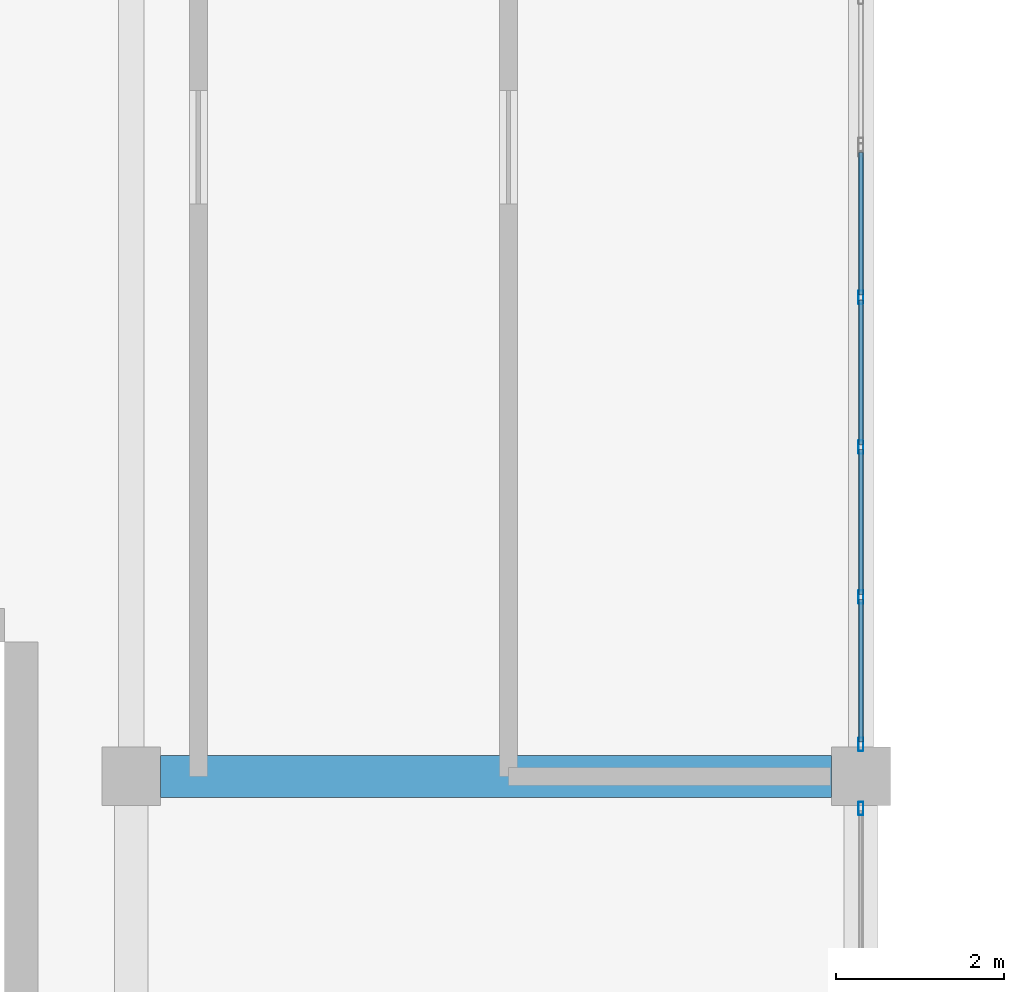
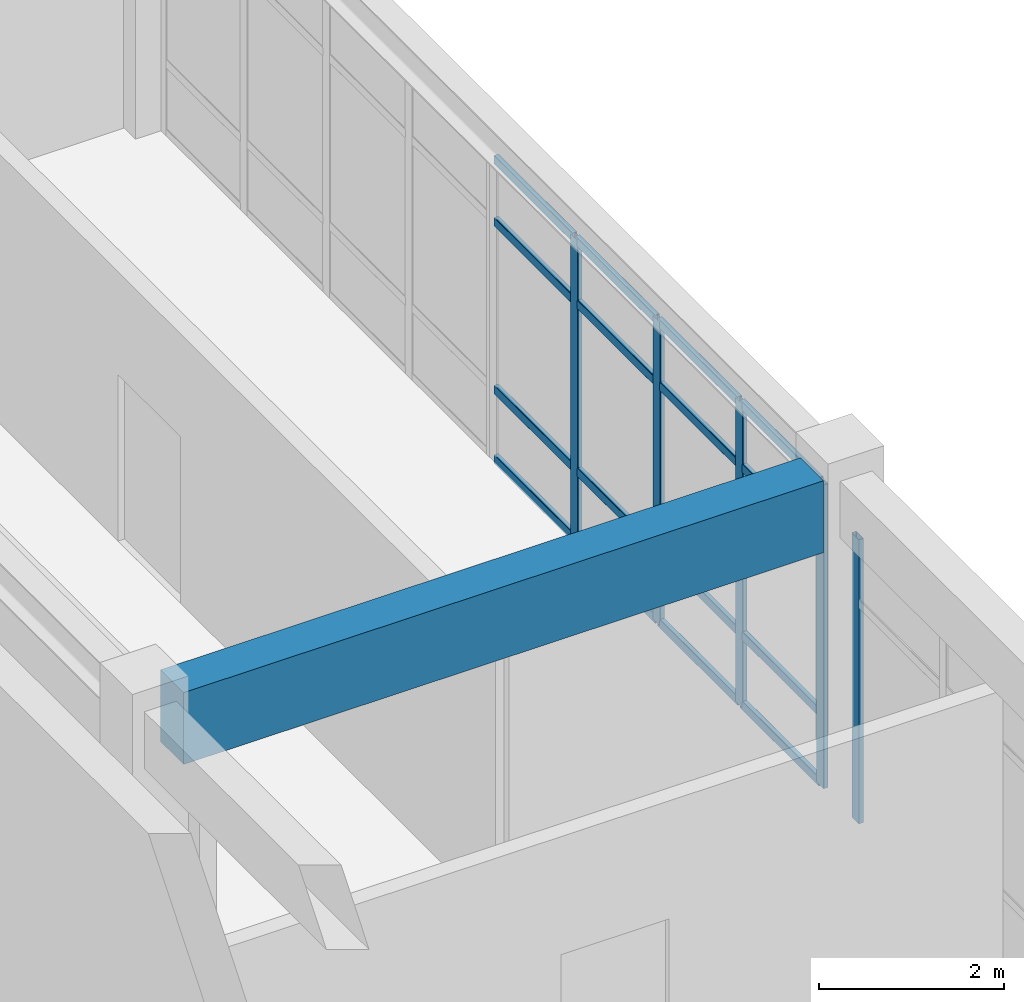
# One storey, part 36 of 64: 21 members, 1 beam, 2 elements without a shape of their own.
"""IFC4 building model written with IfcOpenShell, lengths in metres."""

from ifc_helpers import new_model, si_unit, derived_unit, direction, frame, origin, origin_2d, place, context, subcontext, project, spatial, rectangle, hollow_rectangle, extrude, material, layer, layer_set, material_profile, profile_set, type_object, element, aggregate, save


model = new_model("IFC4")

# Units and contexts
model_context = context("Model", 3, precision=1e-05, world=origin(), true_north=direction((0.0, 1.0)))
body_context = subcontext(model_context, "Body", "Model", "MODEL_VIEW")
ifc_project = project(units=[si_unit("LENGTHUNIT", "METRE"), si_unit("AREAUNIT", "SQUARE_METRE"), si_unit("VOLUMEUNIT", "CUBIC_METRE"), si_unit("PLANEANGLEUNIT", "RADIAN"), si_unit("MASSUNIT", "GRAM", prefix="KILO"), derived_unit("THERMALTRANSMITTANCEUNIT", [(si_unit("MASSUNIT", "GRAM", prefix="KILO"), 1), (si_unit("TIMEUNIT", "SECOND"), -3), (si_unit("THERMODYNAMICTEMPERATUREUNIT", "KELVIN"), -1)])], contexts=[model_context])

# Site, building, storey
site_placement = place(None, origin())
site = spatial("IfcSite", under=ifc_project, at=site_placement, CompositionType="ELEMENT")
building_placement = place(site_placement, origin())
building = spatial("IfcBuilding", under=site, at=building_placement, Name="Qinzheling Arcade Emporium", CompositionType="ELEMENT")
storey_placement = place(building_placement, frame((0.0, 0.0, 31.5)))
storey = spatial("IfcBuildingStorey", under=building, at=storey_placement, Name="L07", CompositionType="ELEMENT", Elevation=31.5)

# Curtain wall, members
ifc_material_1 = material(Name="Anodised aluminium and solar-control double glazing", Category="aluminium")
ifc_layer = layer(ifc_material_1, 0.159912109375, Name="Anodised aluminium and solar-control double glazing", Category="aluminium")
ifc_layer_set = layer_set([ifc_layer], Name="Anodised aluminium and solar-control double glazing")
curtain_wall_type = type_object("IfcCurtainWallType", Name="Atrium Clerestory Curtain Wall", PredefinedType="NOTDEFINED", material=ifc_layer_set)
curtain_wall_1_placement = place(storey_placement, origin())
curtain_wall_1 = element("IfcCurtainWall", 1, at=curtain_wall_1_placement, inside=storey, type_object=curtain_wall_type, Name="Curtain Wall CW-L07-426", PredefinedType="NOTDEFINED")
ifc_material_2 = material(Name="Anodised aluminium 6063-T6", Category="aluminium")
ifc_material_profile_1 = material_profile(ifc_material_2, hollow_rectangle(XDim=0.06005859375, YDim=0.159912109375, WallThickness=0.00390625, InnerFilletRadius=0.00390625, OuterFilletRadius=0.008056640625, at=origin_2d()), Name="RHS 160x60x4", Category="aluminium")
ifc_profile_set_1 = profile_set([ifc_material_profile_1], Name="Anodised aluminium 6063-T6")
member_type_1 = type_object("IfcMemberType", Name="Curtain Wall Mullion RHS160x60", PredefinedType="MULLION", material=ifc_profile_set_1)
member_1_placement = place(storey_placement, frame((104.39990234375, 56.111572265625, 0.0), z_axis=(0.0, 0.0, 1.0), x_axis=(1.0, 0.0, 0.0)))
member_1 = element("IfcMember", 2, at=member_1_placement, type_object=member_type_1, Name="CW03 mullion 2", PredefinedType="MULLION", context=body_context, shape_type="SweptSolid", body=[
    extrude(hollow_rectangle(XDim=0.06005859375, YDim=0.159912109375, WallThickness=0.00390625, InnerFilletRadius=0.00390625, OuterFilletRadius=0.008056640625, at=origin_2d()), origin(), (0.0, 0.0, 1.0), 4.01708984375),
])
member_2_placement = place(storey_placement, frame((104.39990234375, 54.324951171875, 0.0), z_axis=(0.0, 0.0, 1.0), x_axis=(1.0, 0.0, 0.0)))
member_2 = element("IfcMember", 3, at=member_2_placement, type_object=member_type_1, Name="CW03 mullion 3", PredefinedType="MULLION", context=body_context, shape_type="SweptSolid", body=[
    extrude(hollow_rectangle(XDim=0.06005859375, YDim=0.159912109375, WallThickness=0.00390625, InnerFilletRadius=0.00390625, OuterFilletRadius=0.008056640625, at=origin_2d()), origin(), (0.0, 0.0, 1.0), 4.01708984375),
])
member_3_placement = place(storey_placement, frame((104.39990234375, 52.53857421875, 0.0), z_axis=(0.0, 0.0, 1.0), x_axis=(1.0, 0.0, 0.0)))
member_3 = element("IfcMember", 4, at=member_3_placement, type_object=member_type_1, Name="CW03 mullion 4", PredefinedType="MULLION", context=body_context, shape_type="SweptSolid", body=[
    extrude(hollow_rectangle(XDim=0.06005859375, YDim=0.159912109375, WallThickness=0.00390625, InnerFilletRadius=0.00390625, OuterFilletRadius=0.008056640625, at=origin_2d()), origin(), (0.0, 0.0, 1.0), 4.01708984375),
])
member_4_placement = place(storey_placement, frame((104.39990234375, 50.781982421875, 0.0), z_axis=(0.0, 0.0, 1.0), x_axis=(1.0, 0.0, 0.0)))
member_4 = element("IfcMember", 5, at=member_4_placement, type_object=member_type_1, Name="CW03 mullion 5", PredefinedType="MULLION", context=body_context, shape_type="SweptSolid", body=[
    extrude(hollow_rectangle(XDim=0.06005859375, YDim=0.159912109375, WallThickness=0.00390625, InnerFilletRadius=0.00390625, OuterFilletRadius=0.008056640625, at=origin_2d()), origin(), (0.0, 0.0, 1.0), 4.01708984375),
])

# Curtain wall, member
curtain_wall_2_placement = place(storey_placement, origin())
curtain_wall_2 = element("IfcCurtainWall", 6, at=curtain_wall_2_placement, inside=storey, type_object=curtain_wall_type, Name="Curtain Wall CW-L07-427", PredefinedType="NOTDEFINED")
member_5_placement = place(storey_placement, frame((104.39990234375, 50.01806640625, 0.0), z_axis=(0.0, 0.0, 1.0), x_axis=(1.0, 0.0, 0.0)))
member_5 = element("IfcMember", 7, at=member_5_placement, type_object=member_type_1, Name="CW03 mullion 1", PredefinedType="MULLION", context=body_context, shape_type="SweptSolid", body=[
    extrude(hollow_rectangle(XDim=0.06005859375, YDim=0.159912109375, WallThickness=0.00390625, InnerFilletRadius=0.00390625, OuterFilletRadius=0.008056640625, at=origin_2d()), origin(), (0.0, 0.0, 1.0), 3.7548828125),
])
aggregate(curtain_wall_2, [member_5])

# Member
ifc_material_profile_2 = material_profile(ifc_material_2, hollow_rectangle(XDim=0.06005859375, YDim=0.1201171875, WallThickness=0.00390625, InnerFilletRadius=0.00390625, OuterFilletRadius=0.008056640625, at=origin_2d()), Name="RHS 120x60x4", Category="aluminium")
ifc_profile_set_2 = profile_set([ifc_material_profile_2], Name="Anodised aluminium 6063-T6")
member_type_2 = type_object("IfcMemberType", Name="Curtain Wall Transom RHS120x60", PredefinedType="USERDEFINED", material=ifc_profile_set_2)
member_6_placement = place(storey_placement, frame((104.39990234375, 57.837890625, 0.030029296875), z_axis=(0.0, -1.0, 0.0), x_axis=(1.0, 0.0, 0.0)))
member_6 = element("IfcMember", 8, at=member_6_placement, type_object=member_type_2, Name="CW03 transom 1.1", ObjectType="TRANSOM", PredefinedType="USERDEFINED", context=body_context, shape_type="SweptSolid", body=[
    extrude(hollow_rectangle(XDim=0.06005859375, YDim=0.1201171875, WallThickness=0.00390625, InnerFilletRadius=0.00390625, OuterFilletRadius=0.008056640625, at=origin_2d()), origin(), (0.0, 0.0, 1.0), 1.6962890625),
])

member_7_placement = place(storey_placement, frame((104.39990234375, 57.837890625, 0.949951171875), z_axis=(0.0, -1.0, 0.0), x_axis=(1.0, 0.0, 0.0)))
member_7 = element("IfcMember", 9, at=member_7_placement, type_object=member_type_2, Name="CW03 transom 1.2", ObjectType="TRANSOM", PredefinedType="USERDEFINED", context=body_context, shape_type="SweptSolid", body=[
    extrude(hollow_rectangle(XDim=0.06005859375, YDim=0.1201171875, WallThickness=0.00390625, InnerFilletRadius=0.00390625, OuterFilletRadius=0.008056640625, at=origin_2d()), origin(), (0.0, 0.0, 1.0), 1.6962890625),
])

member_8_placement = place(storey_placement, frame((104.39990234375, 57.837890625, 3.1669921875), z_axis=(0.0, -1.0, 0.0), x_axis=(1.0, 0.0, 0.0)))
member_8 = element("IfcMember", 10, at=member_8_placement, type_object=member_type_2, Name="CW03 transom 1.3", ObjectType="TRANSOM", PredefinedType="USERDEFINED", context=body_context, shape_type="SweptSolid", body=[
    extrude(hollow_rectangle(XDim=0.06005859375, YDim=0.1201171875, WallThickness=0.00390625, InnerFilletRadius=0.00390625, OuterFilletRadius=0.008056640625, at=origin_2d()), origin(), (0.0, 0.0, 1.0), 1.6962890625),
])

member_9_placement = place(storey_placement, frame((104.39990234375, 57.837890625, 3.987060546875), z_axis=(0.0, -1.0, 0.0), x_axis=(1.0, 0.0, 0.0)))
member_9 = element("IfcMember", 11, at=member_9_placement, type_object=member_type_2, Name="CW03 transom 1.4", ObjectType="TRANSOM", PredefinedType="USERDEFINED", context=body_context, shape_type="SweptSolid", body=[
    extrude(hollow_rectangle(XDim=0.06005859375, YDim=0.1201171875, WallThickness=0.00390625, InnerFilletRadius=0.00390625, OuterFilletRadius=0.008056640625, at=origin_2d()), origin(), (0.0, 0.0, 1.0), 1.6962890625),
])

member_10_placement = place(storey_placement, frame((104.39990234375, 56.08154296875, 0.030029296875), z_axis=(0.0, -1.0, 0.0), x_axis=(1.0, 0.0, 0.0)))
member_10 = element("IfcMember", 12, at=member_10_placement, type_object=member_type_2, Name="CW03 transom 2.1", ObjectType="TRANSOM", PredefinedType="USERDEFINED", context=body_context, shape_type="SweptSolid", body=[
    extrude(hollow_rectangle(XDim=0.06005859375, YDim=0.1201171875, WallThickness=0.00390625, InnerFilletRadius=0.00390625, OuterFilletRadius=0.008056640625, at=origin_2d()), origin(), (0.0, 0.0, 1.0), 1.7265625),
])

member_11_placement = place(storey_placement, frame((104.39990234375, 56.08154296875, 0.949951171875), z_axis=(0.0, -1.0, 0.0), x_axis=(1.0, 0.0, 0.0)))
member_11 = element("IfcMember", 13, at=member_11_placement, type_object=member_type_2, Name="CW03 transom 2.2", ObjectType="TRANSOM", PredefinedType="USERDEFINED", context=body_context, shape_type="SweptSolid", body=[
    extrude(hollow_rectangle(XDim=0.06005859375, YDim=0.1201171875, WallThickness=0.00390625, InnerFilletRadius=0.00390625, OuterFilletRadius=0.008056640625, at=origin_2d()), origin(), (0.0, 0.0, 1.0), 1.7265625),
])

member_12_placement = place(storey_placement, frame((104.39990234375, 56.08154296875, 3.1669921875), z_axis=(0.0, -1.0, 0.0), x_axis=(1.0, 0.0, 0.0)))
member_12 = element("IfcMember", 14, at=member_12_placement, type_object=member_type_2, Name="CW03 transom 2.3", ObjectType="TRANSOM", PredefinedType="USERDEFINED", context=body_context, shape_type="SweptSolid", body=[
    extrude(hollow_rectangle(XDim=0.06005859375, YDim=0.1201171875, WallThickness=0.00390625, InnerFilletRadius=0.00390625, OuterFilletRadius=0.008056640625, at=origin_2d()), origin(), (0.0, 0.0, 1.0), 1.7265625),
])

member_13_placement = place(storey_placement, frame((104.39990234375, 56.08154296875, 3.987060546875), z_axis=(0.0, -1.0, 0.0), x_axis=(1.0, 0.0, 0.0)))
member_13 = element("IfcMember", 15, at=member_13_placement, type_object=member_type_2, Name="CW03 transom 2.4", ObjectType="TRANSOM", PredefinedType="USERDEFINED", context=body_context, shape_type="SweptSolid", body=[
    extrude(hollow_rectangle(XDim=0.06005859375, YDim=0.1201171875, WallThickness=0.00390625, InnerFilletRadius=0.00390625, OuterFilletRadius=0.008056640625, at=origin_2d()), origin(), (0.0, 0.0, 1.0), 1.7265625),
])

member_14_placement = place(storey_placement, frame((104.39990234375, 54.294921875, 0.030029296875), z_axis=(0.0, -1.0, 0.0), x_axis=(1.0, 0.0, 0.0)))
member_14 = element("IfcMember", 16, at=member_14_placement, type_object=member_type_2, Name="CW03 transom 3.1", ObjectType="TRANSOM", PredefinedType="USERDEFINED", context=body_context, shape_type="SweptSolid", body=[
    extrude(hollow_rectangle(XDim=0.06005859375, YDim=0.1201171875, WallThickness=0.00390625, InnerFilletRadius=0.00390625, OuterFilletRadius=0.008056640625, at=origin_2d()), origin(), (0.0, 0.0, 1.0), 1.726318359375),
])

member_15_placement = place(storey_placement, frame((104.39990234375, 54.294921875, 0.949951171875), z_axis=(0.0, -1.0, 0.0), x_axis=(1.0, 0.0, 0.0)))
member_15 = element("IfcMember", 17, at=member_15_placement, type_object=member_type_2, Name="CW03 transom 3.2", ObjectType="TRANSOM", PredefinedType="USERDEFINED", context=body_context, shape_type="SweptSolid", body=[
    extrude(hollow_rectangle(XDim=0.06005859375, YDim=0.1201171875, WallThickness=0.00390625, InnerFilletRadius=0.00390625, OuterFilletRadius=0.008056640625, at=origin_2d()), origin(), (0.0, 0.0, 1.0), 1.726318359375),
])

member_16_placement = place(storey_placement, frame((104.39990234375, 54.294921875, 3.1669921875), z_axis=(0.0, -1.0, 0.0), x_axis=(1.0, 0.0, 0.0)))
member_16 = element("IfcMember", 18, at=member_16_placement, type_object=member_type_2, Name="CW03 transom 3.3", ObjectType="TRANSOM", PredefinedType="USERDEFINED", context=body_context, shape_type="SweptSolid", body=[
    extrude(hollow_rectangle(XDim=0.06005859375, YDim=0.1201171875, WallThickness=0.00390625, InnerFilletRadius=0.00390625, OuterFilletRadius=0.008056640625, at=origin_2d()), origin(), (0.0, 0.0, 1.0), 1.726318359375),
])

member_17_placement = place(storey_placement, frame((104.39990234375, 54.294921875, 3.987060546875), z_axis=(0.0, -1.0, 0.0), x_axis=(1.0, 0.0, 0.0)))
member_17 = element("IfcMember", 19, at=member_17_placement, type_object=member_type_2, Name="CW03 transom 3.4", ObjectType="TRANSOM", PredefinedType="USERDEFINED", context=body_context, shape_type="SweptSolid", body=[
    extrude(hollow_rectangle(XDim=0.06005859375, YDim=0.1201171875, WallThickness=0.00390625, InnerFilletRadius=0.00390625, OuterFilletRadius=0.008056640625, at=origin_2d()), origin(), (0.0, 0.0, 1.0), 1.726318359375),
])

member_18_placement = place(storey_placement, frame((104.39990234375, 52.508544921875, 0.030029296875), z_axis=(0.0, -1.0, 0.0), x_axis=(1.0, 0.0, 0.0)))
member_18 = element("IfcMember", 20, at=member_18_placement, type_object=member_type_2, Name="CW03 transom 4.1", ObjectType="TRANSOM", PredefinedType="USERDEFINED", context=body_context, shape_type="SweptSolid", body=[
    extrude(hollow_rectangle(XDim=0.06005859375, YDim=0.1201171875, WallThickness=0.00390625, InnerFilletRadius=0.00390625, OuterFilletRadius=0.008056640625, at=origin_2d()), origin(), (0.0, 0.0, 1.0), 1.696533203125),
])

member_19_placement = place(storey_placement, frame((104.39990234375, 52.508544921875, 0.949951171875), z_axis=(0.0, -1.0, 0.0), x_axis=(1.0, 0.0, 0.0)))
member_19 = element("IfcMember", 21, at=member_19_placement, type_object=member_type_2, Name="CW03 transom 4.2", ObjectType="TRANSOM", PredefinedType="USERDEFINED", context=body_context, shape_type="SweptSolid", body=[
    extrude(hollow_rectangle(XDim=0.06005859375, YDim=0.1201171875, WallThickness=0.00390625, InnerFilletRadius=0.00390625, OuterFilletRadius=0.008056640625, at=origin_2d()), origin(), (0.0, 0.0, 1.0), 1.696533203125),
])

member_20_placement = place(storey_placement, frame((104.39990234375, 52.508544921875, 3.1669921875), z_axis=(0.0, -1.0, 0.0), x_axis=(1.0, 0.0, 0.0)))
member_20 = element("IfcMember", 22, at=member_20_placement, type_object=member_type_2, Name="CW03 transom 4.3", ObjectType="TRANSOM", PredefinedType="USERDEFINED", context=body_context, shape_type="SweptSolid", body=[
    extrude(hollow_rectangle(XDim=0.06005859375, YDim=0.1201171875, WallThickness=0.00390625, InnerFilletRadius=0.00390625, OuterFilletRadius=0.008056640625, at=origin_2d()), origin(), (0.0, 0.0, 1.0), 1.696533203125),
])

member_21_placement = place(storey_placement, frame((104.39990234375, 52.508544921875, 3.987060546875), z_axis=(0.0, -1.0, 0.0), x_axis=(1.0, 0.0, 0.0)))
member_21 = element("IfcMember", 23, at=member_21_placement, type_object=member_type_2, Name="CW03 transom 4.4", ObjectType="TRANSOM", PredefinedType="USERDEFINED", context=body_context, shape_type="SweptSolid", body=[
    extrude(hollow_rectangle(XDim=0.06005859375, YDim=0.1201171875, WallThickness=0.00390625, InnerFilletRadius=0.00390625, OuterFilletRadius=0.008056640625, at=origin_2d()), origin(), (0.0, 0.0, 1.0), 1.696533203125),
])

aggregate(curtain_wall_1, [member_1, member_2, member_3, member_4, member_6, member_7, member_8, member_9, member_10, member_11, member_12, member_13, member_14, member_15, member_16, member_17, member_18, member_19, member_20, member_21])

# Beam
ifc_material_3 = material(Name="Concrete C40", Category="concrete")
ifc_material_profile_3 = material_profile(ifc_material_3, rectangle(XDim=0.5, YDim=0.949951171875, at=origin_2d()), Name="RC 500x950", Category="concrete")
ifc_profile_set_3 = profile_set([ifc_material_profile_3], Name="Concrete C40")
beam_type = type_object("IfcBeamType", Name="RC Vault Ring Beam 500x950 C40", PredefinedType="BEAM", material=ifc_profile_set_3)
beam_placement = place(storey_placement, frame((96.050048828125, 50.39990234375, 4.044921875), z_axis=(1.0, 0.0, 0.0), x_axis=(0.0, 1.0, 0.0)))
element("IfcBeam", 24, at=beam_placement, inside=storey, type_object=beam_type, Name="Beam BM-L07-X-G-12", PredefinedType="BEAM", context=body_context, shape_type="SweptSolid", body=[
    extrude(rectangle(XDim=0.5, YDim=0.949951171875, at=origin_2d()), origin(), (0.0, 0.0, 1.0), 8.0),
])

save(model, "model.ifc")
